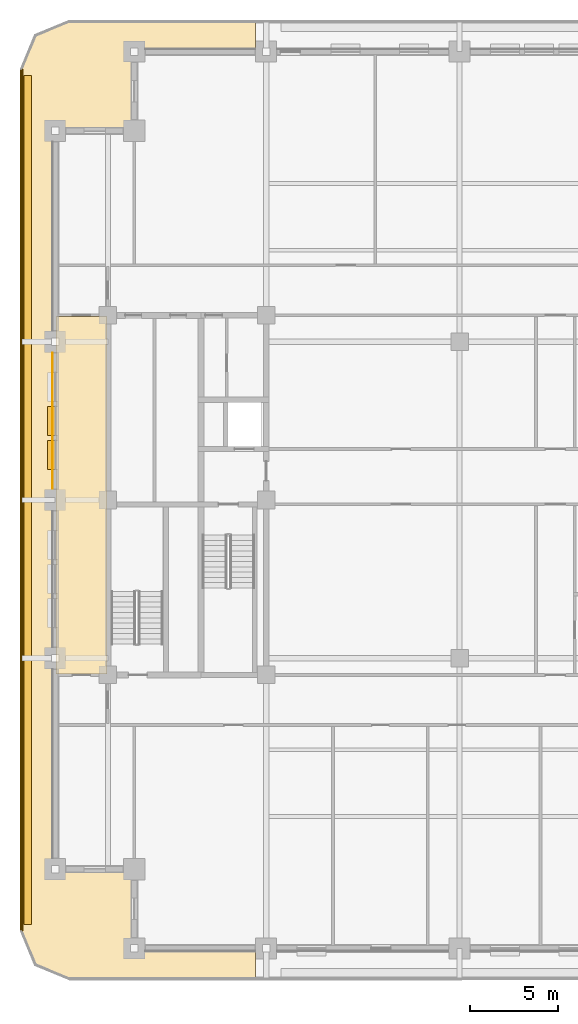
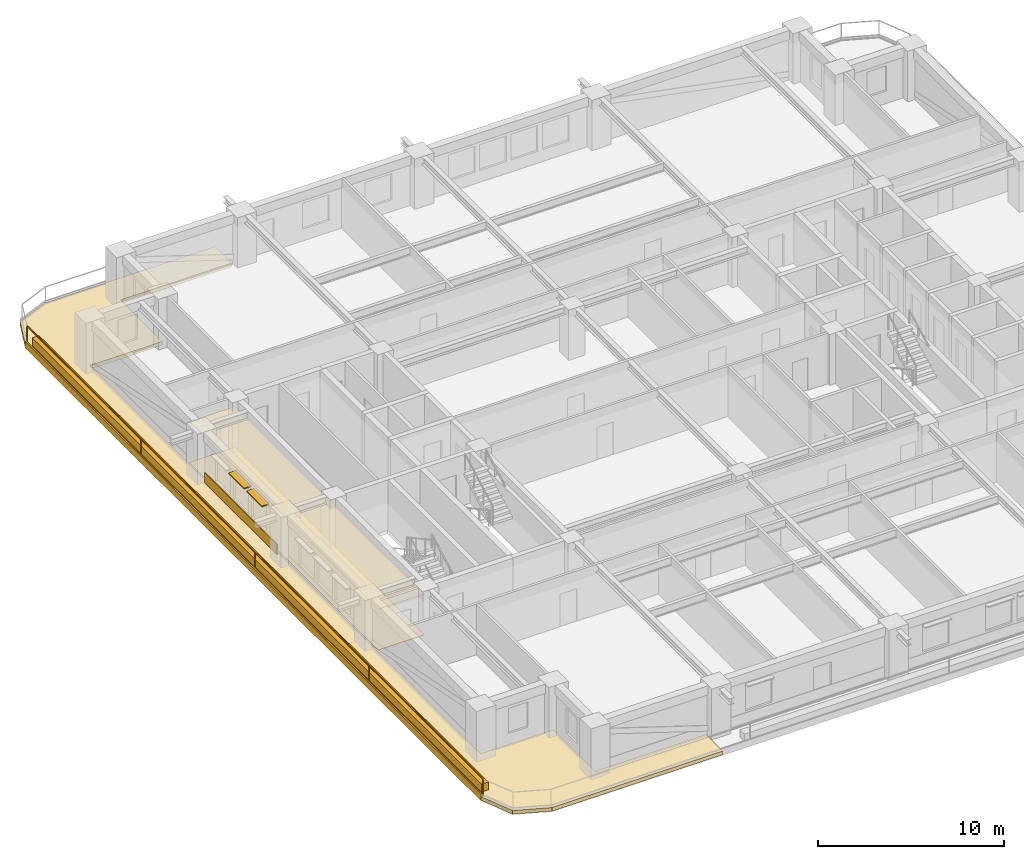
# One storey, part 10 of 13: 6 coverings, 2 shading devices, 1 railing.
"""IFC4 building model written with IfcOpenShell, lengths in metres."""

from ifc_helpers import new_model, si_unit, direction, frame, frame_2d, origin, origin_2d, place, context, subcontext, project, spatial, polyline, rectangle, outline, extrude, material, layer, layer_set, type_object, element, save


model = new_model("IFC4")

# Units and contexts
model_context = context("Model", 3, precision=1e-05, world=origin(), true_north=direction((0.0, 1.0)))
body_context = subcontext(model_context, "Body", "Model", "MODEL_VIEW")
ifc_project = project(units=[si_unit("LENGTHUNIT", "METRE"), si_unit("AREAUNIT", "SQUARE_METRE"), si_unit("VOLUMEUNIT", "CUBIC_METRE"), si_unit("PLANEANGLEUNIT", "RADIAN"), si_unit("MASSUNIT", "GRAM", prefix="KILO")], contexts=[model_context])

# Site, building, storey
site_placement = place(None, origin())
site = spatial("IfcSite", under=ifc_project, at=site_placement, CompositionType="ELEMENT")
building_placement = place(site_placement, origin())
building = spatial("IfcBuilding", under=site, at=building_placement, Name="Zulmaris Gate Convention Tower", CompositionType="ELEMENT")
storey_placement = place(building_placement, frame((0.0, 0.0, 109.2099609375)))
storey = spatial("IfcBuildingStorey", under=building, at=storey_placement, Name="L27", CompositionType="ELEMENT", Elevation=109.2099609375)

# Coverings
ifc_material_1 = material(Name="Precast concrete C40/50", Category="concrete")
ifc_layer_1 = layer(ifc_material_1, 0.0400390625, Name="Precast concrete C40/50")
ifc_layer_set_1 = layer_set([ifc_layer_1], Name="Precast concrete C40/50")
covering_type_1 = type_object("IfcCoveringType", Name="CLAD-SPANDREL-PRECAST", PredefinedType="CLADDING", material=ifc_layer_set_1)
covering_1_placement = place(storey_placement, frame((-23.14990234375, 8.3701171875, 0.0), z_axis=(0.0, 0.0, 1.0), x_axis=(0.0, -1.0, 0.0)))
element("IfcCovering", 1, at=covering_1_placement, inside=storey, type_object=covering_type_1, Name="CLD-L27-W-2_0", PredefinedType="CLADDING", context=body_context, shape_type="SweptSolid", body=[
    extrude(rectangle(XDim=7.740234375, YDim=0.0400390625, at=frame_2d((3.8701171875, 0.0))), origin(), (0.0, 0.0, 1.0), 0.679931640625),
])
ifc_material_2 = material(Name="White Glazed Architectural Precast Concrete C40/50", Category="concrete")
ifc_layer_2 = layer(ifc_material_2, 0.239990234375, Name="White Glazed Architectural Precast Concrete C40/50")
ifc_layer_set_2 = layer_set([ifc_layer_2], Name="White Glazed Architectural Precast Concrete C40/50")
covering_type_2 = type_object("IfcCoveringType", Name="CLAD-TRAY-DECK", PredefinedType="CLADDING", material=ifc_layer_set_2)
covering_2_placement = place(storey_placement, frame((0.0, 0.0, -0.25)))
element("IfcCovering", 2, at=covering_2_placement, inside=storey, type_object=covering_type_2, Name="L27 West Rounded-Fascia Planter Tray Deck", PredefinedType="CLADDING", context=body_context, shape_type="SweptSolid", body=[
    extrude(outline(polyline([(-25.0, 24.5), (-24.179931640625, 26.47998046875), (-22.199951171875, 27.300048828125), (-11.60205078125, 27.300048828125), (-11.60205078125, 25.5), (-18.5, 25.5), (-18.5, 21.0), (-23.0, 21.0), (-23.0, -21.0), (-18.5, -21.0), (-18.5, -25.5), (-11.60205078125, -25.5), (-11.60205078125, -27.300048828125), (-22.199951171875, -27.300048828125), (-24.179931640625, -26.47998046875), (-25.0, -24.5), (-25.0, 24.5)])), origin(), (0.0, 0.0, 1.0), 0.239990234375),
])
ifc_layer_3 = layer(ifc_material_2, 0.080078125, Name="White Glazed Architectural Precast Concrete C40/50")
ifc_layer_set_3 = layer_set([ifc_layer_3], Name="White Glazed Architectural Precast Concrete C40/50")
covering_type_3 = type_object("IfcCoveringType", Name="CLAD-TRAY-FASCIA", PredefinedType="CLADDING", material=ifc_layer_set_3)
covering_3_placement = place(storey_placement, frame((-24.9599609375, 24.5, -0.2900390625), z_axis=(0.0, 0.0, 1.0), x_axis=(0.0, -1.0, 0.0)))
element("IfcCovering", 3, at=covering_3_placement, inside=storey, type_object=covering_type_3, Name="FSC-L27-TR-11", PredefinedType="CLADDING", context=body_context, shape_type="SweptSolid", body=[
    extrude(rectangle(XDim=49.0, YDim=0.080078125, at=frame_2d((24.5, 0.0))), origin(), (0.0, 0.0, 1.0), 0.440185546875),
])
ifc_material_3 = material(Name="Mineral Fibre Acoustic Ceiling Tile")
ifc_layer_4 = layer(ifc_material_3, 0.02001953125, Name="Mineral Fibre Acoustic Ceiling Tile")
ifc_layer_set_4 = layer_set([ifc_layer_4], Name="Mineral Fibre Acoustic Ceiling Tile")
covering_type_4 = type_object("IfcCoveringType", Name="CLG-ACOUSTIC-600", PredefinedType="CEILING", material=ifc_layer_set_4)
covering_4_placement = place(storey_placement, frame((0.0, 0.0, 2.679931640625)))
element("IfcCovering", 4, at=covering_4_placement, inside=storey, type_object=covering_type_4, Name="CLG-L27-R48", PredefinedType="CEILING", context=body_context, shape_type="SweptSolid", body=[
    extrude(outline(polyline([(-22.93994140625, -9.889892578125), (-20.06005859375, -9.889892578125), (-20.06005859375, 10.43994140625), (-22.93994140625, 10.43994140625), (-22.93994140625, -9.889892578125)])), origin(), (0.0, 0.0, 1.0), 0.02001953125),
])
ifc_material_4 = material(Name="Woven Acoustic Wool Carpet Tile")
ifc_layer_5 = layer(ifc_material_4, 0.02001953125, Name="Woven Acoustic Wool Carpet Tile")
ifc_layer_set_5 = layer_set([ifc_layer_5], Name="Woven Acoustic Wool Carpet Tile")
covering_type_5 = type_object("IfcCoveringType", Name="FLR-CARPET-12", PredefinedType="FLOORING", material=ifc_layer_set_5)
covering_5_placement = place(storey_placement, origin())
element("IfcCovering", 5, at=covering_5_placement, inside=storey, type_object=covering_type_5, Name="FLR-L27-R48", PredefinedType="FLOORING", context=body_context, shape_type="SweptSolid", body=[
    extrude(outline(polyline([(-22.93994140625, -9.889892578125), (-20.06005859375, -9.889892578125), (-20.06005859375, 10.43994140625), (-22.93994140625, 10.43994140625), (-22.93994140625, -9.889892578125)])), origin(), (0.0, 0.0, 1.0), 0.02001953125),
])
ifc_material_5 = material(Name="Botanical Green Glazed Precast Concrete C40/50", Category="concrete")
ifc_layer_6 = layer(ifc_material_5, 0.419921875, Name="Botanical Green Glazed Precast Concrete C40/50")
ifc_layer_set_6 = layer_set([ifc_layer_6], Name="Botanical Green Glazed Precast Concrete C40/50")
covering_type_6 = type_object("IfcCoveringType", Name="PLANTER-BOX-200", PredefinedType="CLADDING", material=ifc_layer_set_6)
covering_6_placement = place(storey_placement, frame((0.0, 0.0, -0.010009765625)))
element("IfcCovering", 6, at=covering_6_placement, inside=storey, type_object=covering_type_6, Name="L27 W Full-Length Balcony Tree Planter Trough", PredefinedType="CLADDING", context=body_context, shape_type="SweptSolid", body=[
    extrude(outline(polyline([(-24.760009765625, -24.14990234375), (-24.340087890625, -24.14990234375), (-24.340087890625, 24.14990234375), (-24.760009765625, 24.14990234375), (-24.760009765625, -24.14990234375)])), origin(), (0.0, 0.0, 1.0), 0.52001953125),
])

# Railing
ifc_material_6 = material(Name="Laminated Glass and Stainless Steel", Category="steel")
railing_type = type_object("IfcRailingType", Name="RL-BALC-1150", PredefinedType="BALUSTRADE", material=ifc_material_6)
railing_placement = place(storey_placement, frame((-24.8798828125, 24.5, -0.010009765625)))
element("IfcRailing", 7, at=railing_placement, inside=storey, type_object=railing_type, Name="RL-L27-BALC-W", PredefinedType="BALUSTRADE", context=body_context, shape_type="SweptSolid", body=[
    extrude(rectangle(XDim=0.048095703125, YDim=0.048095703125, at=origin_2d()), frame((0.0, 0.0, 1.1259765625), z_axis=(0.0, -1.0, 0.0), x_axis=(1.0, 0.0, 0.0)), (0.0, 0.0, 1.0), 49.0),
    extrude(rectangle(XDim=0.048095703125, YDim=0.048095703125, at=origin_2d()), frame((0.0, 0.0, 0.02392578125), z_axis=(0.0, -1.0, 0.0), x_axis=(1.0, 0.0, 0.0)), (0.0, 0.0, 1.0), 49.0),
    extrude(rectangle(XDim=0.0419921875, YDim=0.0419921875, at=origin_2d()), origin(), (0.0, 0.0, 1.0), 1.101806640625),
    extrude(rectangle(XDim=0.0419921875, YDim=0.0419921875, at=origin_2d()), frame((0.0, -12.25, 0.0)), (0.0, 0.0, 1.0), 1.101806640625),
    extrude(rectangle(XDim=0.0419921875, YDim=0.0419921875, at=origin_2d()), frame((0.0, -24.5, 0.0)), (0.0, 0.0, 1.0), 1.101806640625),
    extrude(rectangle(XDim=0.0419921875, YDim=0.0419921875, at=origin_2d()), frame((0.0, -36.75, 0.0)), (0.0, 0.0, 1.0), 1.101806640625),
    extrude(rectangle(XDim=0.0419921875, YDim=0.0419921875, at=origin_2d()), frame((0.0, -49.0, 0.0)), (0.0, 0.0, 1.0), 1.101806640625),
])

# Shading devices
ifc_material_7 = material(Name="Glazed Ceramic Terracotta", Category="masonry")
ifc_layer_7 = layer(ifc_material_7, 0.070068359375, Name="Glazed Ceramic Terracotta")
ifc_layer_set_7 = layer_set([ifc_layer_7], Name="Glazed Ceramic Terracotta")
shading_device_type = type_object("IfcShadingDeviceType", Name="SHD-SUNSHADE-TC", PredefinedType="AWNING", material=ifc_layer_set_7)
for number, where, z_axis, x_axis, name in (
    (8, (-23.219970703125, 5.324951171875, 2.530029296875), (0.0, 0.0, 1.0), (0.0, -1.0, 0.0), "SHD-EW-L27-W-2_0-2"),
    (9, (-23.219970703125, 3.389892578125, 2.530029296875), (0.0, 0.0, 1.0), (0.0, -1.0, 0.0), "SHD-EW-L27-W-2_0-3"),
):
    element("IfcShadingDevice", number, at=place(storey_placement, frame(where, z_axis=z_axis, x_axis=x_axis)), inside=storey, type_object=shading_device_type, Name=name, PredefinedType="AWNING", context=body_context, shape_type="SweptSolid", body=[
        extrude(rectangle(XDim=1.64990234375, YDim=0.43994140625, at=frame_2d((0.824951171875, 0.0))), origin(), (0.0, 0.0, 1.0), 0.070068359375),
    ])

save(model, "model.ifc")
